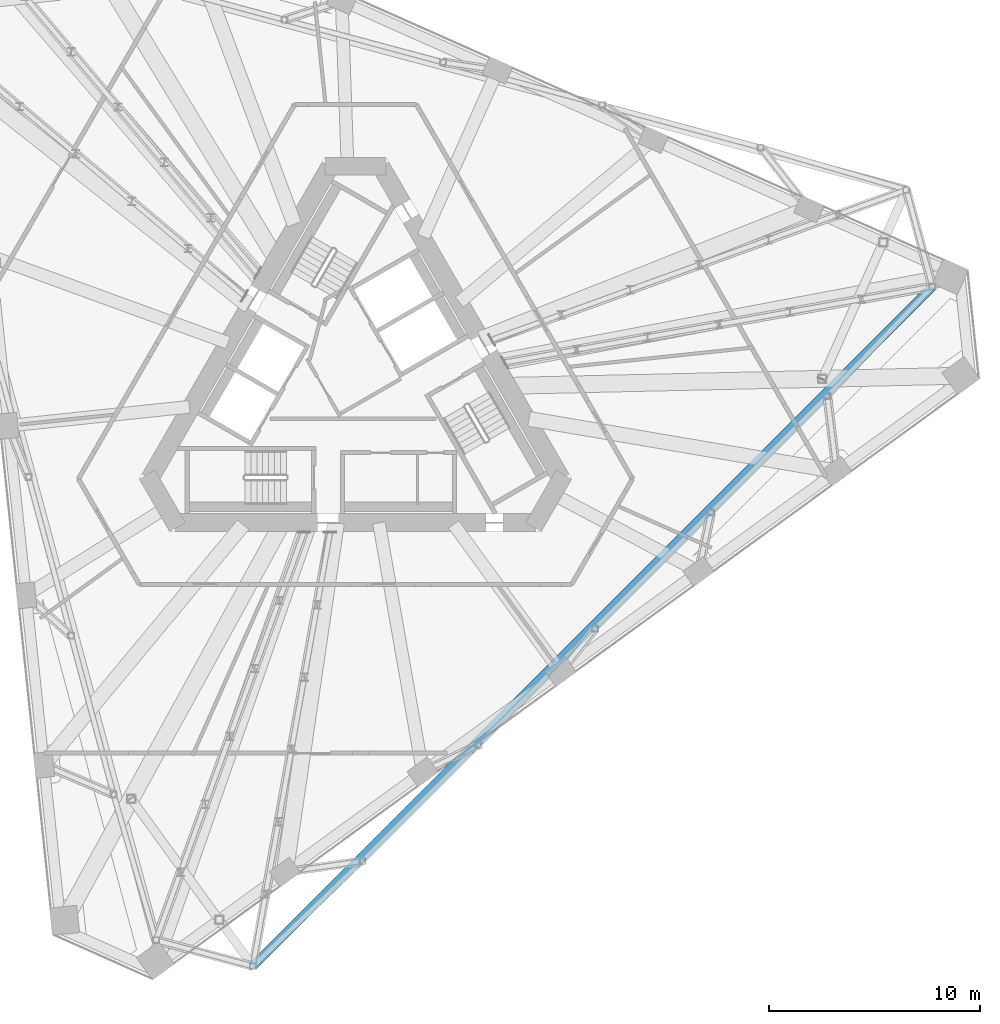
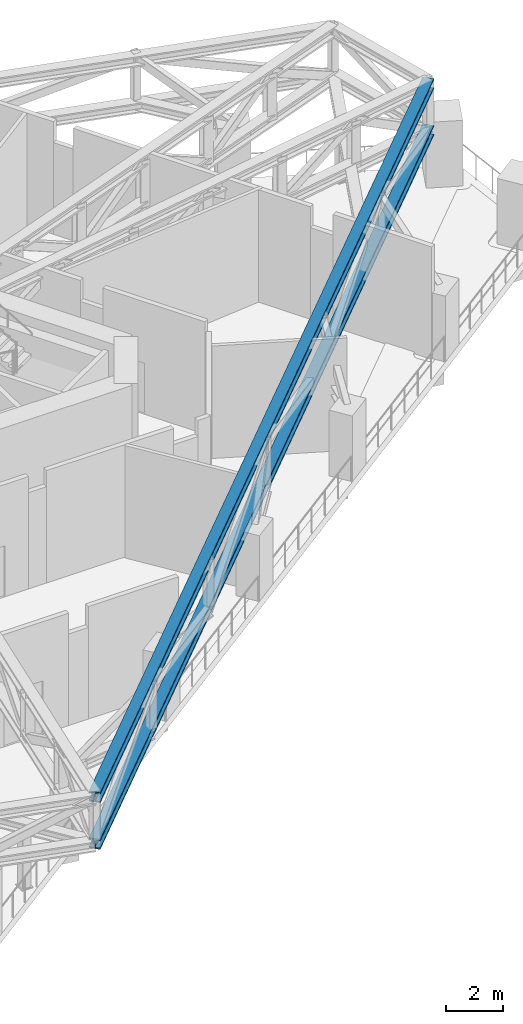
# One storey, part 7 of 26: 2 members.
"""IFC4 building model written with IfcOpenShell, lengths in metres."""

from ifc_helpers import new_model, si_unit, direction, frame, origin, origin_2d, place, context, subcontext, project, spatial, i_section, extrude, material, material_profile, profile_set, type_object, element, save


model = new_model("IFC4")

# Units and contexts
model_context = context("Model", 3, precision=1e-05, world=origin(), true_north=direction((0.0, 1.0)))
body_context = subcontext(model_context, "Body", "Model", "MODEL_VIEW")
ifc_project = project(units=[si_unit("LENGTHUNIT", "METRE"), si_unit("AREAUNIT", "SQUARE_METRE"), si_unit("VOLUMEUNIT", "CUBIC_METRE"), si_unit("PLANEANGLEUNIT", "RADIAN"), si_unit("MASSUNIT", "GRAM", prefix="KILO")], contexts=[model_context])

# Site, building, storey
site_placement = place(None, origin())
site = spatial("IfcSite", under=ifc_project, at=site_placement, CompositionType="ELEMENT")
building_placement = place(site_placement, origin())
building = spatial("IfcBuilding", under=site, at=building_placement, Name="Tramontana Tower", CompositionType="ELEMENT")
storey_placement = place(building_placement, frame((0.0, 0.0, 194.800048828125)))
storey = spatial("IfcBuildingStorey", under=building, at=storey_placement, Name="L45", CompositionType="ELEMENT", Elevation=194.800048828125)

# Members
ifc_material = material(Name="Steel ASTM A992 Grade 50", Category="steel")
ifc_material_profile = material_profile(ifc_material, i_section(OverallWidth=0.412841796875, OverallDepth=0.43505859375, WebThickness=0.03662109375, FlangeThickness=0.05712890625, FilletRadius=0.01513671875, at=origin_2d()), Name="W14X311")
ifc_profile_set = profile_set([ifc_material_profile], Name="Steel ASTM A992 Grade 50")
member_type = type_object("IfcMemberType", Name="Belt truss W14X311 chord", PredefinedType="CHORD", material=ifc_profile_set)
for number, where, z_axis, x_axis, name in (
    (1, (-4.86669921875, -27.352783203125, 2.617431640625), (0.707106781187, 0.707106781187, 0.0), (-0.707106781187, 0.707106781187, 0.0), "Belt truss bottom chord S1"),
    (2, (-4.86669921875, -27.352783203125, 4.632568359375), (0.707106781187, 0.707106781187, 0.0), (-0.707106781187, 0.707106781187, 0.0), "Belt truss top chord S1"),
):
    element("IfcMember", number, at=place(storey_placement, frame(where, z_axis=z_axis, x_axis=x_axis)), inside=storey, type_object=member_type, Name=name, PredefinedType="CHORD", context=body_context, shape_type="SweptSolid", body=[
        extrude(i_section(OverallWidth=0.412841796875, OverallDepth=0.43505859375, WebThickness=0.03662109375, FlangeThickness=0.05712890625, FilletRadius=0.01513671875, at=origin_2d()), origin(), (0.0, 0.0, 1.0), 45.565185546875),
    ])

save(model, "model.ifc")
